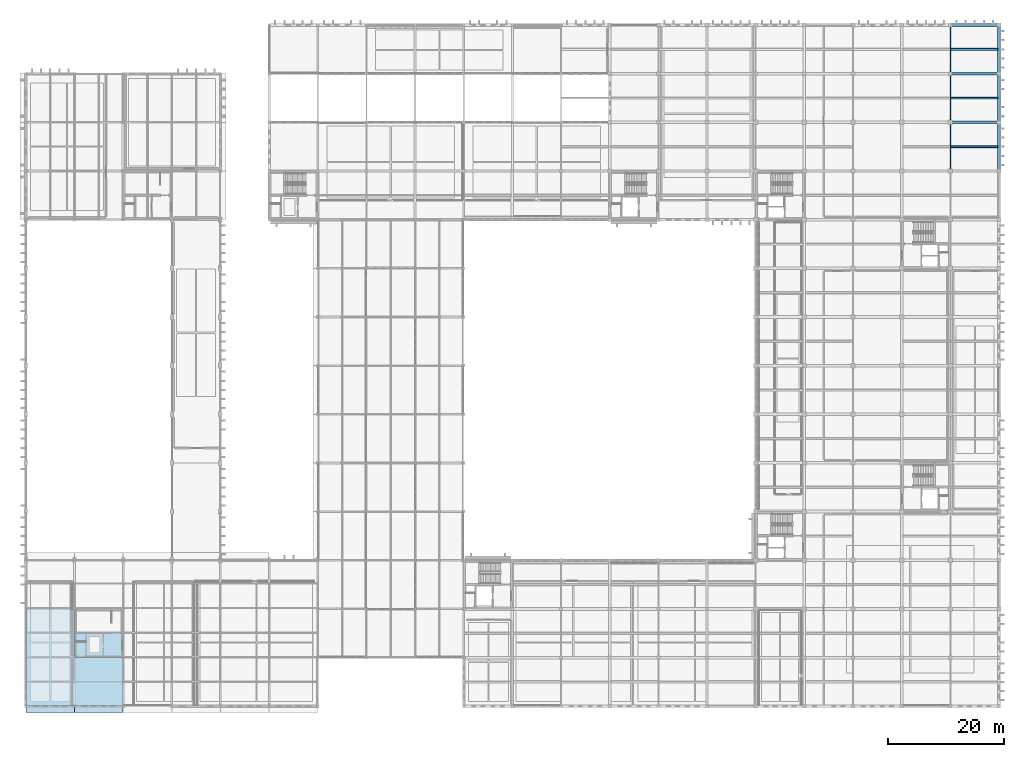
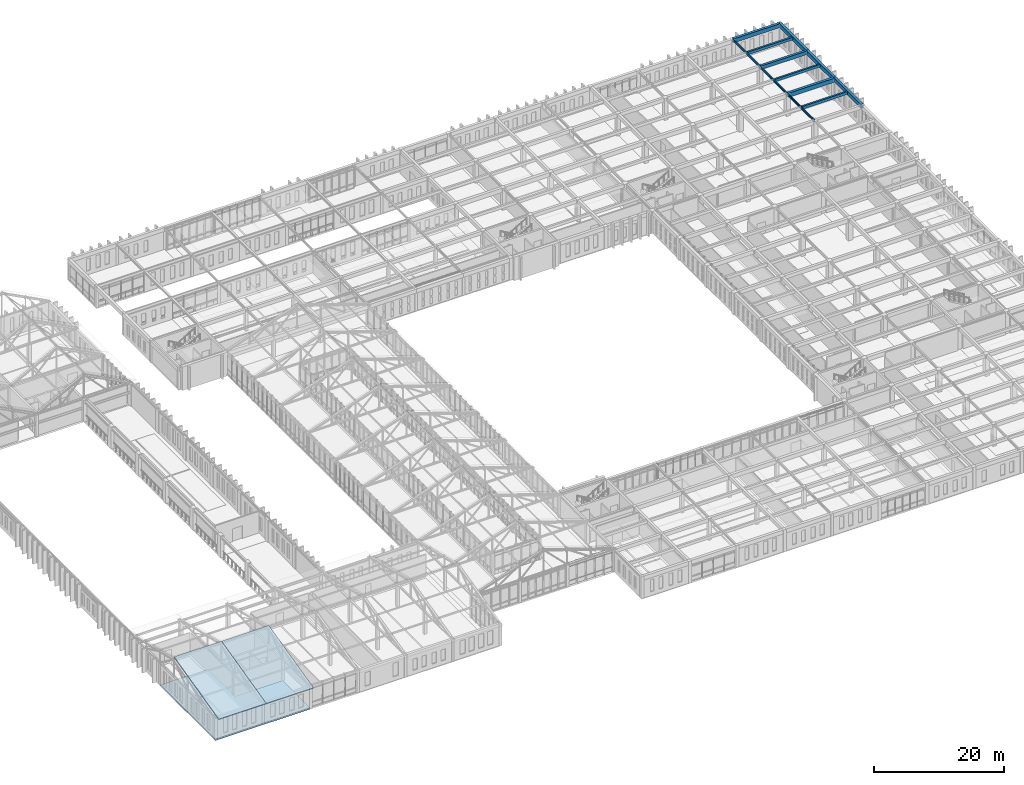
# One storey, part 110 of 192: 12 beams, 3 slabs.
"""IFC4 building model written with IfcOpenShell, lengths in metres."""

from ifc_helpers import new_model, si_unit, direction, frame, origin, origin_2d, place, context, subcontext, project, spatial, polyline, rectangle, i_section, outline, extrude, material, layer, layer_set, material_profile, profile_set, type_object, element, save


model = new_model("IFC4")

# Units and contexts
model_context = context("Model", 3, precision=1e-05, world=origin(), true_north=direction((0.0, 1.0)))
body_context = subcontext(model_context, "Body", "Model", "MODEL_VIEW")
ifc_project = project(units=[si_unit("LENGTHUNIT", "METRE"), si_unit("AREAUNIT", "SQUARE_METRE"), si_unit("VOLUMEUNIT", "CUBIC_METRE"), si_unit("PLANEANGLEUNIT", "RADIAN"), si_unit("MASSUNIT", "GRAM", prefix="KILO")], contexts=[model_context])

# Site, building, storey
site_placement = place(None, origin())
site = spatial("IfcSite", under=ifc_project, at=site_placement, CompositionType="ELEMENT")
building_placement = place(site_placement, origin())
building = spatial("IfcBuilding", under=site, at=building_placement, Name="Kveldsbrygga Polytechnic", CompositionType="ELEMENT")
storey_placement = place(building_placement, frame((0.0, 0.0, 5.43994140625)))
storey = spatial("IfcBuildingStorey", under=building, at=storey_placement, Name="L01", CompositionType="ELEMENT", Elevation=5.43994140625)

# Beams
ifc_material_1 = material(Name="Concrete C35/45", Category="concrete")
ifc_material_profile_1 = material_profile(ifc_material_1, rectangle(XDim=0.419921875, YDim=0.679931640625, at=origin_2d()), Name="RC 420x680")
ifc_profile_set_1 = profile_set([ifc_material_profile_1], Name="Concrete C35/45")
beam_type_1 = type_object("IfcBeamType", Name="BM-RC-420x680", PredefinedType="BEAM", material=ifc_profile_set_1)
beam_1_placement = place(storey_placement, frame((159.60009765625, 109.199951171875, 3.780029296875), z_axis=(1.0, 0.0, 0.0), x_axis=(0.0, 1.0, 0.0)))
element("IfcBeam", 1, at=beam_1_placement, inside=storey, type_object=beam_type_1, Name="Primary Beam BMX-L01-19to20-13", PredefinedType="BEAM", context=body_context, shape_type="SweptSolid", body=[
    extrude(rectangle(XDim=0.419921875, YDim=0.679931640625, at=origin_2d()), origin(), (0.0, 0.0, 1.0), 8.39990234375),
])
ifc_material_profile_2 = material_profile(ifc_material_1, rectangle(XDim=0.449951171875, YDim=0.75, at=origin_2d()), Name="RC 450x750")
ifc_profile_set_2 = profile_set([ifc_material_profile_2], Name="Concrete C35/45")
beam_type_2 = type_object("IfcBeamType", Name="BM-RC-450x750", PredefinedType="BEAM", material=ifc_profile_set_2)
beam_2_placement = place(storey_placement, frame((168.0, 92.39990234375, 3.7451171875), z_axis=(0.0, 1.0, 0.0), x_axis=(-1.0, 0.0, 0.0)))
element("IfcBeam", 2, at=beam_2_placement, inside=storey, type_object=beam_type_2, Name="Primary Beam BMY-L01-20-11to12", PredefinedType="BEAM", context=body_context, shape_type="SweptSolid", body=[
    extrude(rectangle(XDim=0.449951171875, YDim=0.75, at=origin_2d()), origin(), (0.0, 0.0, 1.0), 8.400146484375),
])
beam_3_placement = place(storey_placement, frame((168.0, 100.800048828125, 3.7451171875), z_axis=(0.0, 1.0, 0.0), x_axis=(-1.0, 0.0, 0.0)))
element("IfcBeam", 3, at=beam_3_placement, inside=storey, type_object=beam_type_2, Name="Primary Beam BMY-L01-20-12to13", PredefinedType="BEAM", context=body_context, shape_type="SweptSolid", body=[
    extrude(rectangle(XDim=0.449951171875, YDim=0.75, at=origin_2d()), origin(), (0.0, 0.0, 1.0), 8.39990234375),
])
beam_4_placement = place(storey_placement, frame((168.0, 109.199951171875, 3.7451171875), z_axis=(0.0, 1.0, 0.0), x_axis=(-1.0, 0.0, 0.0)))
element("IfcBeam", 4, at=beam_4_placement, inside=storey, type_object=beam_type_2, Name="Primary Beam BMY-L01-20-13to14", PredefinedType="BEAM", context=body_context, shape_type="SweptSolid", body=[
    extrude(rectangle(XDim=0.449951171875, YDim=0.75, at=origin_2d()), origin(), (0.0, 0.0, 1.0), 8.400146484375),
])
ifc_material_profile_3 = material_profile(ifc_material_1, rectangle(XDim=0.4599609375, YDim=0.739990234375, at=origin_2d()), Name="RC 460x740")
ifc_profile_set_3 = profile_set([ifc_material_profile_3], Name="Concrete C35/45")
beam_type_3 = type_object("IfcBeamType", Name="BM-RC-460x740", PredefinedType="BEAM", material=ifc_profile_set_3)
beam_5_placement = place(storey_placement, frame((159.60009765625, 117.60009765625, 3.75), z_axis=(1.0, 0.0, 0.0), x_axis=(0.0, 1.0, 0.0)))
element("IfcBeam", 5, at=beam_5_placement, inside=storey, type_object=beam_type_3, Name="Primary Beam BMX-L01-19to20-14", PredefinedType="BEAM", context=body_context, shape_type="SweptSolid", body=[
    extrude(rectangle(XDim=0.4599609375, YDim=0.739990234375, at=origin_2d()), origin(), (0.0, 0.0, 1.0), 8.39990234375),
])
ifc_material_profile_4 = material_profile(ifc_material_1, rectangle(XDim=0.47998046875, YDim=0.780029296875, at=origin_2d()), Name="RC 480x780")
ifc_profile_set_4 = profile_set([ifc_material_profile_4], Name="Concrete C35/45")
beam_type_4 = type_object("IfcBeamType", Name="BM-RC-480x780", PredefinedType="BEAM", material=ifc_profile_set_4)
beam_6_placement = place(storey_placement, frame((159.60009765625, 100.800048828125, 3.72998046875), z_axis=(1.0, 0.0, 0.0), x_axis=(0.0, 1.0, 0.0)))
element("IfcBeam", 6, at=beam_6_placement, inside=storey, type_object=beam_type_4, Name="Primary Beam BMX-L01-19to20-12", PredefinedType="BEAM", context=body_context, shape_type="SweptSolid", body=[
    extrude(rectangle(XDim=0.47998046875, YDim=0.780029296875, at=origin_2d()), origin(), (0.0, 0.0, 1.0), 8.39990234375),
])
ifc_material_2 = material(Name="Steel S355", Category="steel")
ifc_material_profile_5 = material_profile(ifc_material_2, i_section(OverallWidth=0.179931640625, OverallDepth=0.39990234375, WebThickness=0.008544921875, FlangeThickness=0.013427734375, FilletRadius=0.02099609375, at=origin_2d()), Name="IPE 400")
ifc_profile_set_5 = profile_set([ifc_material_profile_5], Name="Steel S355")
beam_type_5 = type_object("IfcBeamType", Name="BM-STL-IPE400", PredefinedType="BEAM", material=ifc_profile_set_5)
beam_7_placement = place(storey_placement, frame((159.60009765625, 92.39990234375, 3.920166015625), z_axis=(0.0, 1.0, 0.0), x_axis=(-1.0, 0.0, 0.0)))
element("IfcBeam", 7, at=beam_7_placement, inside=storey, type_object=beam_type_5, Name="Primary Beam BMY-L01-19-11to12", PredefinedType="BEAM", context=body_context, shape_type="SweptSolid", body=[
    extrude(i_section(OverallWidth=0.179931640625, OverallDepth=0.39990234375, WebThickness=0.008544921875, FlangeThickness=0.013427734375, FilletRadius=0.02099609375, at=origin_2d()), origin(), (0.0, 0.0, 1.0), 8.400146484375),
])
beam_8_placement = place(storey_placement, frame((159.60009765625, 100.800048828125, 3.920166015625), z_axis=(0.0, 1.0, 0.0), x_axis=(-1.0, 0.0, 0.0)))
element("IfcBeam", 8, at=beam_8_placement, inside=storey, type_object=beam_type_5, Name="Primary Beam BMY-L01-19-12to13", PredefinedType="BEAM", context=body_context, shape_type="SweptSolid", body=[
    extrude(i_section(OverallWidth=0.179931640625, OverallDepth=0.39990234375, WebThickness=0.008544921875, FlangeThickness=0.013427734375, FilletRadius=0.02099609375, at=origin_2d()), origin(), (0.0, 0.0, 1.0), 8.39990234375),
])
beam_9_placement = place(storey_placement, frame((159.60009765625, 109.199951171875, 3.920166015625), z_axis=(0.0, 1.0, 0.0), x_axis=(-1.0, 0.0, 0.0)))
element("IfcBeam", 9, at=beam_9_placement, inside=storey, type_object=beam_type_5, Name="Primary Beam BMY-L01-19-13to14", PredefinedType="BEAM", context=body_context, shape_type="SweptSolid", body=[
    extrude(i_section(OverallWidth=0.179931640625, OverallDepth=0.39990234375, WebThickness=0.008544921875, FlangeThickness=0.013427734375, FilletRadius=0.02099609375, at=origin_2d()), origin(), (0.0, 0.0, 1.0), 8.400146484375),
])
ifc_material_profile_6 = material_profile(ifc_material_1, rectangle(XDim=0.300048828125, YDim=0.5, at=origin_2d()), Name="RC 300x500")
ifc_profile_set_6 = profile_set([ifc_material_profile_6], Name="Concrete C35/45")
beam_type_6 = type_object("IfcBeamType", Name="JST-RC-300x500", PredefinedType="JOIST", material=ifc_profile_set_6)
beam_10_placement = place(storey_placement, frame((159.68994140625, 105.0, 3.8701171875), z_axis=(1.0, 0.0, 0.0), x_axis=(0.0, 1.0, 0.0)))
element("IfcBeam", 10, at=beam_10_placement, inside=storey, type_object=beam_type_6, Name="Secondary Joist JST-L01-19-12", PredefinedType="JOIST", context=body_context, shape_type="SweptSolid", body=[
    extrude(rectangle(XDim=0.300048828125, YDim=0.5, at=origin_2d()), origin(), (0.0, 0.0, 1.0), 8.0849609375),
])
ifc_material_profile_7 = material_profile(ifc_material_1, rectangle(XDim=0.320068359375, YDim=0.52001953125, at=origin_2d()), Name="RC 320x520")
ifc_profile_set_7 = profile_set([ifc_material_profile_7], Name="Concrete C35/45")
beam_type_7 = type_object("IfcBeamType", Name="JST-RC-320x520", PredefinedType="JOIST", material=ifc_profile_set_7)
for number, where, z_axis, x_axis, name in (
    (11, (159.68994140625, 96.60009765625, 3.860107421875), (1.0, 0.0, 0.0), (0.0, 1.0, 0.0), "Secondary Joist JST-L01-19-11"),
    (12, (159.68994140625, 113.39990234375, 3.860107421875), (1.0, 0.0, 0.0), (0.0, 1.0, 0.0), "Secondary Joist JST-L01-19-13"),
):
    element("IfcBeam", number, at=place(storey_placement, frame(where, z_axis=z_axis, x_axis=x_axis)), inside=storey, type_object=beam_type_7, Name=name, PredefinedType="JOIST", context=body_context, shape_type="SweptSolid", body=[
        extrude(rectangle(XDim=0.320068359375, YDim=0.52001953125, at=origin_2d()), origin(), (0.0, 0.0, 1.0), 8.0849609375),
    ])

# Slabs
ifc_layer_1 = layer(ifc_material_1, 0.219970703125)
ifc_layer_set_1 = layer_set([ifc_layer_1], Name="Concrete C35/45")
slab_type_1 = type_object("IfcSlabType", Name="SLB-ROOF-220", PredefinedType="ROOF", material=ifc_layer_set_1)
slab_1_placement = place(storey_placement, frame((0.0, -1.10009765625, 4.423095703125), z_axis=(0.0, -0.236945846339, 0.971522859177), x_axis=(1.0, 0.0, 0.0)))
element("IfcSlab", 13, at=slab_1_placement, inside=storey, type_object=slab_type_1, Name="Pitched Roof Slab V5S-RSLB-1-1", PredefinedType="ROOF", context=body_context, shape_type="SweptSolid", body=[
    extrude(outline(polyline([(0.0, 0.0), (8.39990234375, 0.0), (8.39990234375, 14.140724512666859), (0.0, 14.140724512666859), (0.0, 0.0)])), origin(), (0.0, 0.0, -1.0), 0.219970703125),
])
slab_2_placement = place(storey_placement, frame((8.39990234375, -1.10009765625, 4.423095703125), z_axis=(0.0, -0.236945846339, 0.971522859177), x_axis=(1.0, 0.0, 0.0)))
element("IfcSlab", 14, at=slab_2_placement, inside=storey, type_object=slab_type_1, Name="Pitched Roof Slab V5S-RSLB-2-1", PredefinedType="ROOF", context=body_context, shape_type="SweptSolid", body=[
    extrude(outline(polyline([(0.0, 0.0), (8.400146484375, 0.0), (8.400146484375, 14.140724512666859), (0.0, 14.140724512666859), (0.0, 0.0)])), origin(), (0.0, 0.0, -1.0), 0.219970703125),
])
ifc_layer_2 = layer(ifc_material_1, 0.280029296875)
ifc_layer_set_2 = layer_set([ifc_layer_2], Name="Concrete C35/45")
slab_type_2 = type_object("IfcSlabType", Name="SLB-STD-280", PredefinedType="FLOOR", material=ifc_layer_set_2)
slab_3_placement = place(storey_placement, frame((0.0, 0.0, -0.280029296875)))
element("IfcSlab", 15, at=slab_3_placement, inside=storey, type_object=slab_type_2, Name="Slab SLB-L01-V5-SW-L01-1", PredefinedType="FLOOR", context=body_context, shape_type="SweptSolid", body=[
    extrude(outline(polyline([(0.0, 0.0), (0.0, 8.39990234375), (0.0, 16.800048828125), (8.39990234375, 16.800048828125), (8.39990234375, 8.39990234375), (16.800048828125, 8.39990234375), (16.800048828125, 0.0), (8.39990234375, 0.0), (0.0, 0.0)])), origin(), (0.0, 0.0, 1.0), 0.280029296875),
])

save(model, "model.ifc")
